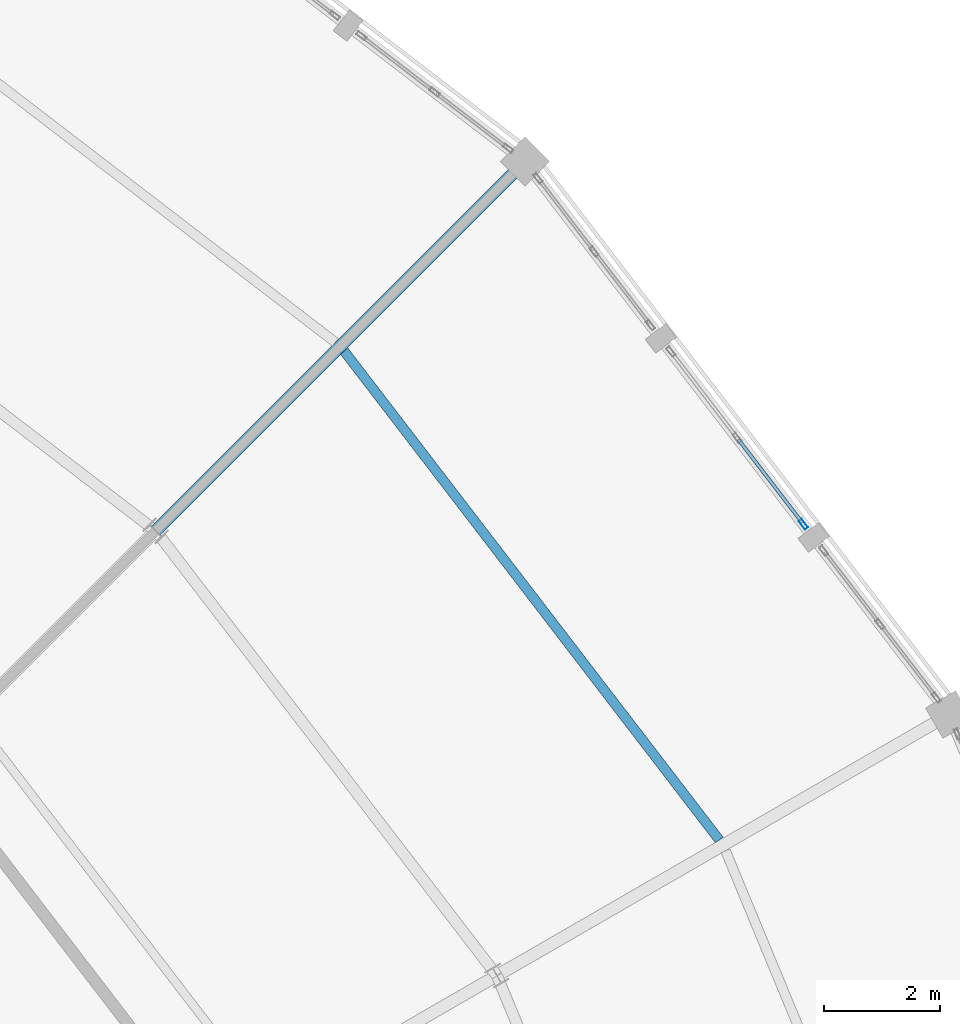
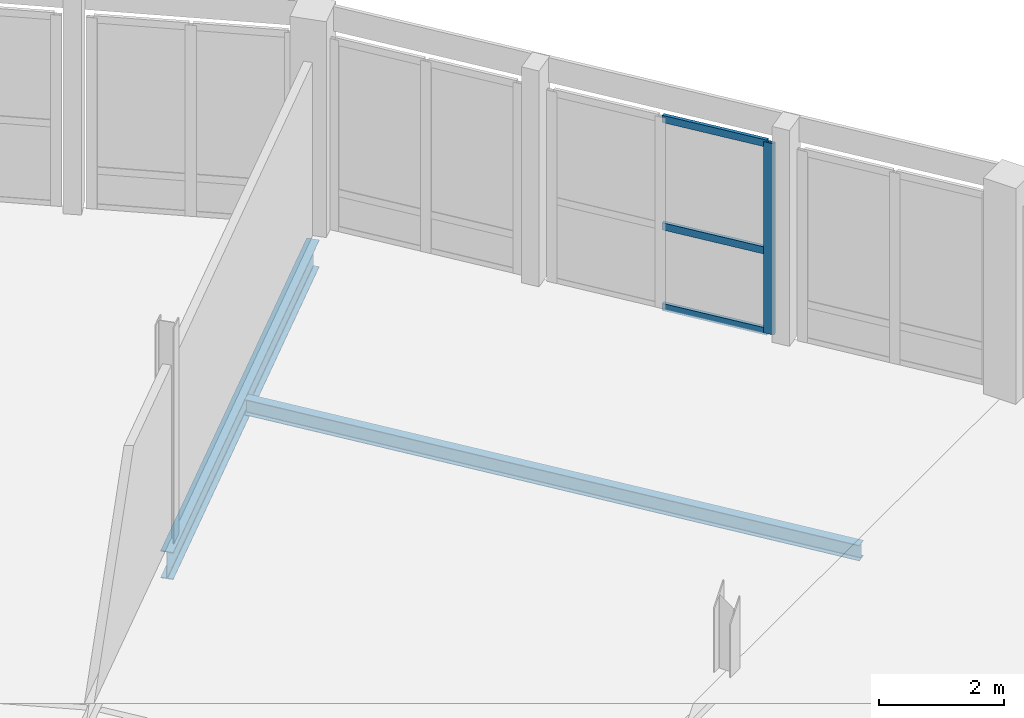
# One storey, part 120 of 170: 4 members, 2 beams, 1 element without a shape of its own.
"""IFC4 building model written with IfcOpenShell, lengths in metres."""

from ifc_helpers import new_model, si_unit, direction, frame, origin, origin_2d, place, context, subcontext, project, spatial, hollow_rectangle, i_section, extrude, material, material_profile, profile_set, type_object, element, aggregate, save


model = new_model("IFC4")

# Units and contexts
model_context = context("Model", 3, precision=1e-05, world=origin(), true_north=direction((0.0, 1.0)))
body_context = subcontext(model_context, "Body", "Model", "MODEL_VIEW")
ifc_project = project(units=[si_unit("LENGTHUNIT", "METRE"), si_unit("AREAUNIT", "SQUARE_METRE"), si_unit("VOLUMEUNIT", "CUBIC_METRE"), si_unit("PLANEANGLEUNIT", "RADIAN"), si_unit("MASSUNIT", "GRAM", prefix="KILO")], contexts=[model_context])

# Site, building, storey
site_placement = place(None, origin())
site = spatial("IfcSite", under=ifc_project, at=site_placement, CompositionType="ELEMENT")
building_placement = place(site_placement, origin())
building = spatial("IfcBuilding", under=site, at=building_placement, Name="Vondelvale Polytechnic", CompositionType="ELEMENT")
storey_placement = place(building_placement, frame((0.0, 0.0, 5.39990234375)))
storey = spatial("IfcBuildingStorey", under=building, at=storey_placement, Name="L01", CompositionType="ELEMENT", Elevation=5.39990234375)

# Beam
ifc_material_1 = material(Name="Steel 300PLUS (fy = 300 MPa)", Category="steel")
ifc_material_profile_1 = material_profile(ifc_material_1, i_section(OverallWidth=0.208984375, OverallDepth=0.532958984375, WebThickness=0.01025390625, FlangeThickness=0.015625, FilletRadius=0.013916015625, at=origin_2d()), Name="530UB92.4")
ifc_profile_set_1 = profile_set([ifc_material_profile_1], Name="Steel 300PLUS (fy = 300 MPa)")
beam_type_1 = type_object("IfcBeamType", Name="BM-UB530", PredefinedType="BEAM", material=ifc_profile_set_1)
beam_1_placement = place(storey_placement, frame((128.1630859375, 98.1630859375, -0.54638671875), z_axis=(0.707106781187, 0.707106781187, 0.0), x_axis=(-0.707106781187, 0.707106781187, 0.0)))
element("IfcBeam", 1, at=beam_1_placement, inside=storey, type_object=beam_type_1, Name="L01 RG B-11", PredefinedType="BEAM", context=body_context, shape_type="SweptSolid", body=[
    extrude(i_section(OverallWidth=0.208984375, OverallDepth=0.532958984375, WebThickness=0.01025390625, FlangeThickness=0.015625, FilletRadius=0.013916015625, at=origin_2d()), origin(), (0.0, 0.0, 1.0), 8.999755859375),
])

# Curtain wall, members
ifc_material_2 = material(Name="Glulam GL18 structural Tasmanian oak (fb = 42 MPa)", Category="wood")
curtain_wall_type = type_object("IfcCurtainWallType", Name="CW-RING-OUTER", PredefinedType="NOTDEFINED", material=ifc_material_2)
curtain_wall_placement = place(storey_placement, origin())
curtain_wall = element("IfcCurtainWall", 2, at=curtain_wall_placement, inside=storey, type_object=curtain_wall_type, Name="L01 architectural curtain wall CW-04-091", PredefinedType="NOTDEFINED")
ifc_material_3 = material(Name="Anodised extruded aluminium 6063-T6", Category="aluminium")
ifc_material_profile_2 = material_profile(ifc_material_3, hollow_rectangle(XDim=0.06494140625, YDim=0.179931640625, WallThickness=0.00390625, at=origin_2d()), Name="CW-MUL-180x65")
ifc_profile_set_2 = profile_set([ifc_material_profile_2], Name="Anodised extruded aluminium 6063-T6")
member_type_1 = type_object("IfcMemberType", Name="CW-MUL-65x180", PredefinedType="MULLION", material=ifc_profile_set_2)
member_1_placement = place(storey_placement, frame((139.322998046875, 98.276611328125, 0.0), z_axis=(0.0, 0.0, 1.0), x_axis=(-0.793345851043, -0.608771189063, 0.0)))
member_1 = element("IfcMember", 3, at=member_1_placement, type_object=member_type_1, Name="CW-04-091 mullion 1", PredefinedType="MULLION", context=body_context, shape_type="SweptSolid", body=[
    extrude(hollow_rectangle(XDim=0.06494140625, YDim=0.179931640625, WallThickness=0.00390625, at=origin_2d()), origin(), (0.0, 0.0, 1.0), 3.72021484375),
])
ifc_material_profile_3 = material_profile(ifc_material_3, hollow_rectangle(XDim=0.06005859375, YDim=0.139892578125, WallThickness=0.00341796875, at=origin_2d()), Name="CW-TRN-140x60")
ifc_profile_set_3 = profile_set([ifc_material_profile_3], Name="Anodised extruded aluminium 6063-T6")
member_type_2 = type_object("IfcMemberType", Name="CW-TRN-60x140", PredefinedType="USERDEFINED", material=ifc_profile_set_3)
member_2_placement = place(storey_placement, frame((139.30322265625, 98.302490234375, 0.030029296875), z_axis=(-0.608816809849, 0.793310842007, 0.0), x_axis=(-0.793310842007, -0.608816809849, 0.0)))
member_2 = element("IfcMember", 4, at=member_2_placement, type_object=member_type_2, Name="CW-04-091 transom 1.1", ObjectType="TRANSOM", PredefinedType="USERDEFINED", context=body_context, shape_type="SweptSolid", body=[
    extrude(hollow_rectangle(XDim=0.06005859375, YDim=0.139892578125, WallThickness=0.00341796875, at=origin_2d()), origin(), (0.0, 0.0, 1.0), 1.808837890625),
])
member_3_placement = place(storey_placement, frame((139.30322265625, 98.302490234375, 1.60009765625), z_axis=(-0.608816809849, 0.793310842007, 0.0), x_axis=(-0.793310842007, -0.608816809849, 0.0)))
member_3 = element("IfcMember", 5, at=member_3_placement, type_object=member_type_2, Name="CW-04-091 transom 1.2", ObjectType="TRANSOM", PredefinedType="USERDEFINED", context=body_context, shape_type="SweptSolid", body=[
    extrude(hollow_rectangle(XDim=0.06005859375, YDim=0.139892578125, WallThickness=0.00341796875, at=origin_2d()), origin(), (0.0, 0.0, 1.0), 1.808837890625),
])
member_4_placement = place(storey_placement, frame((139.30322265625, 98.302490234375, 3.690185546875), z_axis=(-0.608816809849, 0.793310842007, 0.0), x_axis=(-0.793310842007, -0.608816809849, 0.0)))
member_4 = element("IfcMember", 6, at=member_4_placement, type_object=member_type_2, Name="CW-04-091 transom 1.3", ObjectType="TRANSOM", PredefinedType="USERDEFINED", context=body_context, shape_type="SweptSolid", body=[
    extrude(hollow_rectangle(XDim=0.06005859375, YDim=0.139892578125, WallThickness=0.00341796875, at=origin_2d()), origin(), (0.0, 0.0, 1.0), 1.808837890625),
])
aggregate(curtain_wall, [member_1, member_2, member_3, member_4])

# Beam
ifc_material_profile_4 = material_profile(ifc_material_1, i_section(OverallWidth=0.1650390625, OverallDepth=0.303955078125, WebThickness=0.006103515625, FlangeThickness=0.01025390625, FilletRadius=0.011474609375, at=origin_2d()), Name="310UB40.4")
ifc_profile_set_4 = profile_set([ifc_material_profile_4], Name="Steel 300PLUS (fy = 300 MPa)")
beam_type_2 = type_object("IfcBeamType", Name="JST-UB310", PredefinedType="JOIST", material=ifc_profile_set_4)
beam_2_placement = place(storey_placement, frame((137.873046875, 92.83740234375, -0.431884765625), z_axis=(-0.608770977523, 0.793346013368, 0.0), x_axis=(-0.793346013368, -0.608770977523, 0.0)))
element("IfcBeam", 7, at=beam_2_placement, inside=storey, type_object=beam_type_2, Name="L01 RJ J-05", PredefinedType="JOIST", context=body_context, shape_type="SweptSolid", body=[
    extrude(i_section(OverallWidth=0.1650390625, OverallDepth=0.303955078125, WebThickness=0.006103515625, FlangeThickness=0.01025390625, FilletRadius=0.011474609375, at=origin_2d()), origin(), (0.0, 0.0, 1.0), 10.613525390625),
])

save(model, "model.ifc")
